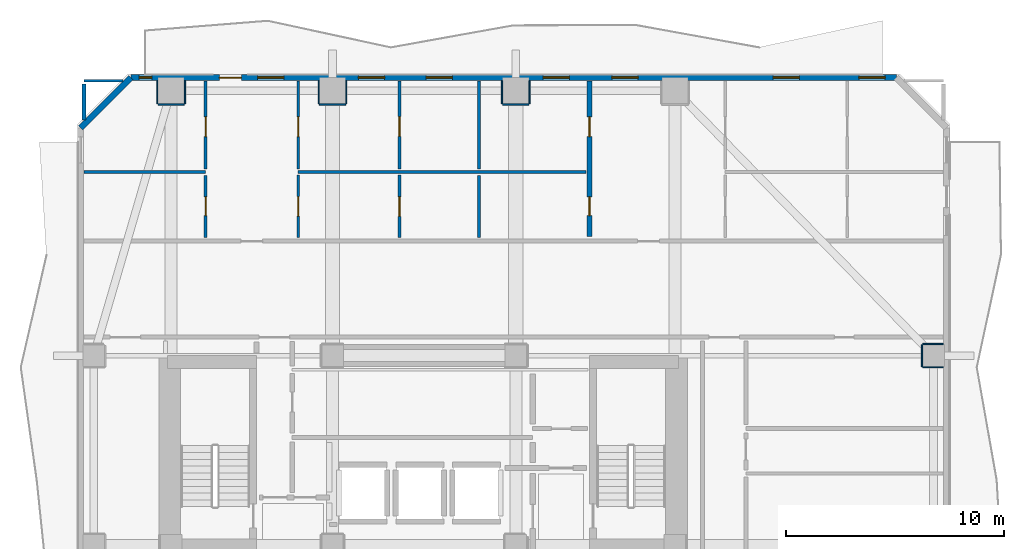
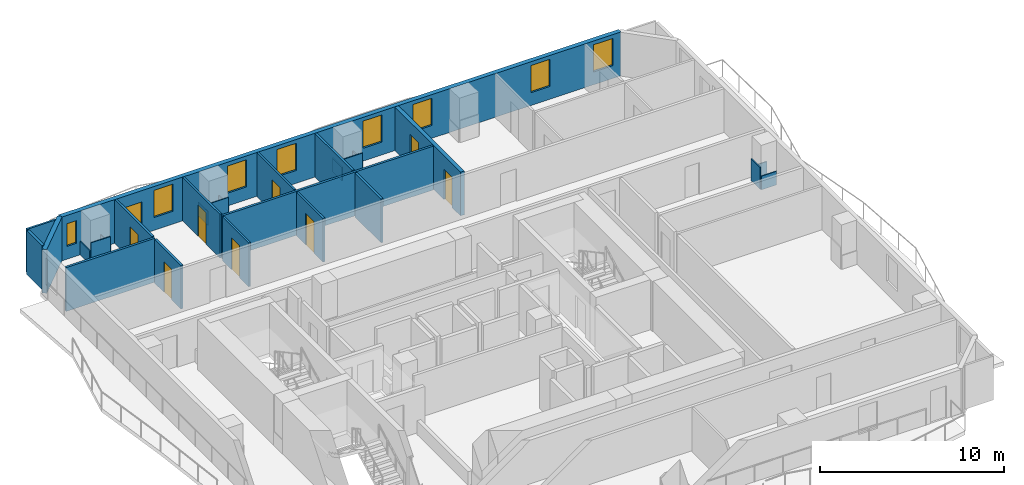
# One storey, part 5 of 9: 27 walls, 9 doors, 8 windows, 17 openings.
"""IFC4 building model written with IfcOpenShell, lengths in metres."""

from ifc_helpers import new_model, si_unit, direction, frame, frame_2d, origin, place, context, subcontext, project, spatial, rectangle, extrude, material, layer, layer_set, type_object, element, fill, save


model = new_model("IFC4")

# Units and contexts
model_context = context("Model", 3, precision=1e-05, world=origin(), true_north=direction((0.0, 1.0)))
body_context = subcontext(model_context, "Body", "Model", "MODEL_VIEW")
ifc_project = project(units=[si_unit("LENGTHUNIT", "METRE"), si_unit("AREAUNIT", "SQUARE_METRE"), si_unit("VOLUMEUNIT", "CUBIC_METRE"), si_unit("PLANEANGLEUNIT", "RADIAN"), si_unit("MASSUNIT", "GRAM", prefix="KILO")], contexts=[model_context])

# Site, building, storey
site_placement = place(None, origin())
site = spatial("IfcSite", under=ifc_project, at=site_placement, CompositionType="ELEMENT")
building_placement = place(site_placement, origin())
building = spatial("IfcBuilding", under=site, at=building_placement, Name="Solanera Arch Residences", CompositionType="ELEMENT")
storey_placement = place(building_placement, frame((0.0, 0.0, 162.52001953125)))
storey = spatial("IfcBuildingStorey", under=building, at=storey_placement, Name="L47", CompositionType="ELEMENT", Elevation=162.52001953125)

# Walls
ifc_material_1 = material(Name="Fire-Rated Gypsum Stud Partition", Category="gypsum")
ifc_layer_1 = layer(ifc_material_1, 0.06005859375)
ifc_layer_set_1 = layer_set([ifc_layer_1], Name="Fire-Rated Gypsum Stud Partition")
wall_type_1 = type_object("IfcWallType", Name="Column Acoustic Furring Wall 60", PredefinedType="PARTITIONING", material=ifc_layer_set_1)
wall_1_placement = place(storey_placement, frame((12.800048828125, 50.91796875, 0.0), z_axis=(0.0, 0.0, 1.0), x_axis=(1.0, 0.0, 0.0)))
element("IfcWall", 1, at=wall_1_placement, inside=storey, type_object=wall_type_1, Name="L47 Column Furring 10S", PredefinedType="PARTITIONING", context=body_context, shape_type="SweptSolid", body=[
    extrude(rectangle(XDim=1.199951171875, YDim=0.06005859375, at=frame_2d((0.60009765625, 0.0))), origin(), (0.0, 0.0, 1.0), 1.449951171875),
])
for number, where, z_axis, x_axis, name in (
    (2, (12.76806640625, 50.949951171875, 0.0), (0.0, 0.0, 1.0), (0.0, 1.0, 0.0), "L47 Column Furring 10W"),
    (3, (14.031982421875, 50.949951171875, 0.0), (0.0, 0.0, 1.0), (0.0, 1.0, 0.0), "L47 Column Furring 10E"),
):
    element("IfcWall", number, at=place(storey_placement, frame(where, z_axis=z_axis, x_axis=x_axis)), inside=storey, type_object=wall_type_1, Name=name, PredefinedType="PARTITIONING", context=body_context, shape_type="SweptSolid", body=[
        extrude(rectangle(XDim=1.0400390625, YDim=0.06005859375, at=frame_2d((0.52001953125, 0.0))), origin(), (0.0, 0.0, 1.0), 0.905029296875),
    ])
wall_2_placement = place(storey_placement, frame((20.199951171875, 50.91796875, 0.0), z_axis=(0.0, 0.0, 1.0), x_axis=(1.0, 0.0, 0.0)))
element("IfcWall", 4, at=wall_2_placement, inside=storey, type_object=wall_type_1, Name="L47 Column Furring 12S", PredefinedType="PARTITIONING", context=body_context, shape_type="SweptSolid", body=[
    extrude(rectangle(XDim=1.199951171875, YDim=0.06005859375, at=frame_2d((0.60009765625, 0.0))), origin(), (0.0, 0.0, 1.0), 1.449951171875),
])
for number, where, z_axis, x_axis, name in (
    (5, (20.16796875, 50.949951171875, 0.0), (0.0, 0.0, 1.0), (0.0, 1.0, 0.0), "L47 Column Furring 12W"),
    (6, (21.431884765625, 50.949951171875, 0.0), (0.0, 0.0, 1.0), (0.0, 1.0, 0.0), "L47 Column Furring 12E"),
):
    element("IfcWall", number, at=place(storey_placement, frame(where, z_axis=z_axis, x_axis=x_axis)), inside=storey, type_object=wall_type_1, Name=name, PredefinedType="PARTITIONING", context=body_context, shape_type="SweptSolid", body=[
        extrude(rectangle(XDim=1.0400390625, YDim=0.06005859375, at=frame_2d((0.52001953125, 0.0))), origin(), (0.0, 0.0, 1.0), 0.905029296875),
    ])
wall_3_placement = place(storey_placement, frame((28.60009765625, 50.91796875, 0.0), z_axis=(0.0, 0.0, 1.0), x_axis=(1.0, 0.0, 0.0)))
element("IfcWall", 7, at=wall_3_placement, inside=storey, type_object=wall_type_1, Name="L47 Column Furring 14S", PredefinedType="PARTITIONING", context=body_context, shape_type="SweptSolid", body=[
    extrude(rectangle(XDim=1.199951171875, YDim=0.06005859375, at=frame_2d((0.60009765625, 0.0))), origin(), (0.0, 0.0, 1.0), 1.449951171875),
])
for number, where, z_axis, x_axis, name in (
    (8, (28.568115234375, 50.949951171875, 0.0), (0.0, 0.0, 1.0), (0.0, 1.0, 0.0), "L47 Column Furring 14W"),
    (9, (29.83203125, 50.949951171875, 0.0), (0.0, 0.0, 1.0), (0.0, 1.0, 0.0), "L47 Column Furring 14E"),
):
    element("IfcWall", number, at=place(storey_placement, frame(where, z_axis=z_axis, x_axis=x_axis)), inside=storey, type_object=wall_type_1, Name=name, PredefinedType="PARTITIONING", context=body_context, shape_type="SweptSolid", body=[
        extrude(rectangle(XDim=1.0400390625, YDim=0.06005859375, at=frame_2d((0.52001953125, 0.0))), origin(), (0.0, 0.0, 1.0), 0.905029296875),
    ])
for number, where, z_axis, x_axis, name in (
    (10, (47.85009765625, 38.867919921875, 0.0), (0.0, 0.0, 1.0), (1.0, 0.0, 0.0), "L47 Column Furring 22S"),
    (11, (47.85009765625, 39.931884765625, 0.0), (0.0, 0.0, 1.0), (1.0, 0.0, 0.0), "L47 Column Furring 22N"),
):
    element("IfcWall", number, at=place(storey_placement, frame(where, z_axis=z_axis, x_axis=x_axis)), inside=storey, type_object=wall_type_1, Name=name, PredefinedType="PARTITIONING", context=body_context, shape_type="SweptSolid", body=[
        extrude(rectangle(XDim=0.93994140625, YDim=0.06005859375, at=frame_2d((0.469970703125, 0.0))), origin(), (0.0, 0.0, 1.0), 0.905029296875),
    ])
wall_4_placement = place(storey_placement, frame((47.818115234375, 38.89990234375, 0.0), z_axis=(0.0, 0.0, 1.0), x_axis=(0.0, 1.0, 0.0)))
element("IfcWall", 12, at=wall_4_placement, inside=storey, type_object=wall_type_1, Name="L47 Column Furring 22W", PredefinedType="PARTITIONING", context=body_context, shape_type="SweptSolid", body=[
    extrude(rectangle(XDim=1.0, YDim=0.06005859375, at=frame_2d((0.5, 0.0))), origin(), (0.0, 0.0, 1.0), 1.449951171875),
])
ifc_material_2 = material(Name="Autoclaved Aerated Concrete Blockwork", Category="masonry")
ifc_layer_2 = layer(ifc_material_2, 0.179931640625)
ifc_layer_set_2 = layer_set([ifc_layer_2], Name="Autoclaved Aerated Concrete Blockwork")
wall_type_2 = type_object("IfcWallType", Name="Corridor Fire Partition 180", PredefinedType="PARTITIONING", material=ifc_layer_set_2)
wall_5_placement = place(storey_placement, frame((9.39990234375, 50.205078125, 0.0), z_axis=(0.0, 0.0, 1.0), x_axis=(0.0, 1.0, 0.0)))
element("IfcWall", 13, at=wall_5_placement, inside=storey, type_object=wall_type_2, Name="L47 Interior Partition V8 2", PredefinedType="PARTITIONING", context=body_context, shape_type="SweptSolid", body=[
    extrude(rectangle(XDim=1.636962890625, YDim=0.179931640625, at=frame_2d((0.818359375, 0.0))), origin(), (0.0, 0.0, 1.0), 2.89990234375),
])
ifc_material_3 = material(Name="Precast Concrete C35/45", Category="concrete")
ifc_layer_3 = layer(ifc_material_3, 0.280029296875)
ifc_layer_set_3 = layer_set([ifc_layer_3], Name="Precast Concrete C35/45")
wall_type_3 = type_object("IfcWallType", Name="Exterior Wall Precast Masonry-Frame 280", PredefinedType="STANDARD", material=ifc_layer_set_3)
wall_6_placement = place(storey_placement, frame((9.2548828125, 49.844970703125, 0.0), z_axis=(0.0, 0.0, 1.0), x_axis=(0.707106781187, 0.707106781187, 0.0)))
element("IfcWall", 14, at=wall_6_placement, inside=storey, type_object=wall_type_3, Name="L47 Tower Exterior Precast Masonry-Frame Wall CH1", PredefinedType="STANDARD", context=body_context, shape_type="SweptSolid", body=[
    extrude(rectangle(XDim=3.252685546875, YDim=0.280029296875, at=frame_2d((1.62646484375, 0.0))), origin(), (0.0, 0.0, 1.0), 2.89990234375),
])

# Wall, openings, door, windows
wall_7_placement = place(storey_placement, frame((11.554931640625, 52.14501953125, 0.0), z_axis=(0.0, 0.0, 1.0), x_axis=(1.0, 0.0, 0.0)))
wall_7 = element("IfcWall", 15, at=wall_7_placement, inside=storey, type_object=wall_type_3, Name="L47 Tower Exterior Precast Masonry-Frame Wall N", PredefinedType="STANDARD", context=body_context, shape_type="SweptSolid", body=[
    extrude(rectangle(XDim=35.090087890625, YDim=0.280029296875, at=frame_2d((17.544921875, 0.0))), origin(), (0.0, 0.0, 1.0), 2.89990234375),
])
opening_1_placement = place(wall_7_placement, frame((4.06201171875, 0.0, 0.0)))
opening_1 = element("IfcOpeningElement", 16, at=opening_1_placement, cuts=wall_7, Name="Opening DB-01", PredefinedType="OPENING", context=body_context, shape_type="SweptSolid", body=[
    extrude(rectangle(XDim=1.0, YDim=2.14990234375, at=frame_2d((0.5, 1.074951171875))), frame((0.0, 0.14990234375, 0.0), z_axis=(0.0, -1.0, 0.0), x_axis=(1.0, 0.0, 0.0)), (0.0, 0.0, 1.0), 0.3),
])
opening_2_placement = place(wall_7_placement, frame((5.81298828125, 0.0, 0.85009765625)))
opening_2 = element("IfcOpeningElement", 17, at=opening_2_placement, cuts=wall_7, Name="Opening W-01", PredefinedType="OPENING", context=body_context, shape_type="SweptSolid", body=[
    extrude(rectangle(XDim=1.199951171875, YDim=1.800048828125, at=frame_2d((0.60009765625, 0.89990234375))), frame((0.0, 0.14990234375, 0.0), z_axis=(0.0, -1.0, 0.0), x_axis=(1.0, 0.0, 0.0)), (0.0, 0.0, 1.0), 0.3),
])
opening_3_placement = place(wall_7_placement, frame((0.3779296875, 0.0, 0.85009765625)))
opening_3 = element("IfcOpeningElement", 18, at=opening_3_placement, cuts=wall_7, Name="Opening W-14", PredefinedType="OPENING", context=body_context, shape_type="SweptSolid", body=[
    extrude(rectangle(XDim=0.580078125, YDim=1.5, at=frame_2d((0.2900390625, 0.75))), frame((0.0, 0.14990234375, 0.0), z_axis=(0.0, -1.0, 0.0), x_axis=(1.0, 0.0, 0.0)), (0.0, 0.0, 1.0), 0.3),
])
opening_4_placement = place(wall_7_placement, frame((10.428955078125, 0.0, 0.85009765625)))
opening_4 = element("IfcOpeningElement", 19, at=opening_4_placement, cuts=wall_7, Name="Opening W-01", PredefinedType="OPENING", context=body_context, shape_type="SweptSolid", body=[
    extrude(rectangle(XDim=1.199951171875, YDim=1.800048828125, at=frame_2d((0.60009765625, 0.89990234375))), frame((0.0, 0.14990234375, 0.0), z_axis=(0.0, -1.0, 0.0), x_axis=(1.0, 0.0, 0.0)), (0.0, 0.0, 1.0), 0.3),
])
opening_5_placement = place(wall_7_placement, frame((13.5390625, 0.0, 0.85009765625)))
opening_5 = element("IfcOpeningElement", 20, at=opening_5_placement, cuts=wall_7, Name="Opening W-01", PredefinedType="OPENING", context=body_context, shape_type="SweptSolid", body=[
    extrude(rectangle(XDim=1.199951171875, YDim=1.800048828125, at=frame_2d((0.60009765625, 0.89990234375))), frame((0.0, 0.14990234375, 0.0), z_axis=(0.0, -1.0, 0.0), x_axis=(1.0, 0.0, 0.0)), (0.0, 0.0, 1.0), 0.3),
])
opening_6_placement = place(wall_7_placement, frame((22.052001953125, 0.0, 0.85009765625)))
opening_6 = element("IfcOpeningElement", 21, at=opening_6_placement, cuts=wall_7, Name="Opening W-01", PredefinedType="OPENING", context=body_context, shape_type="SweptSolid", body=[
    extrude(rectangle(XDim=1.199951171875, YDim=1.800048828125, at=frame_2d((0.60009765625, 0.89990234375))), frame((0.0, 0.14990234375, 0.0), z_axis=(0.0, -1.0, 0.0), x_axis=(1.0, 0.0, 0.0)), (0.0, 0.0, 1.0), 0.3),
])
opening_7_placement = place(wall_7_placement, frame((18.902099609375, 0.0, 0.85009765625)))
opening_7 = element("IfcOpeningElement", 22, at=opening_7_placement, cuts=wall_7, Name="Opening W-01", PredefinedType="OPENING", context=body_context, shape_type="SweptSolid", body=[
    extrude(rectangle(XDim=1.199951171875, YDim=1.800048828125, at=frame_2d((0.60009765625, 0.89990234375))), frame((0.0, 0.14990234375, 0.0), z_axis=(0.0, -1.0, 0.0), x_axis=(1.0, 0.0, 0.0)), (0.0, 0.0, 1.0), 0.3),
])
opening_8_placement = place(wall_7_placement, frame((29.444091796875, 0.0, 0.85009765625)))
opening_8 = element("IfcOpeningElement", 23, at=opening_8_placement, cuts=wall_7, Name="Opening W-01", PredefinedType="OPENING", context=body_context, shape_type="SweptSolid", body=[
    extrude(rectangle(XDim=1.199951171875, YDim=1.800048828125, at=frame_2d((0.60009765625, 0.89990234375))), frame((0.0, 0.14990234375, 0.0), z_axis=(0.0, -1.0, 0.0), x_axis=(1.0, 0.0, 0.0)), (0.0, 0.0, 1.0), 0.3),
])
opening_9_placement = place(wall_7_placement, frame((33.3720703125, 0.0, 0.85009765625)))
opening_9 = element("IfcOpeningElement", 24, at=opening_9_placement, cuts=wall_7, Name="Opening W-01", PredefinedType="OPENING", context=body_context, shape_type="SweptSolid", body=[
    extrude(rectangle(XDim=1.199951171875, YDim=1.800048828125, at=frame_2d((0.60009765625, 0.89990234375))), frame((0.0, 0.14990234375, 0.0), z_axis=(0.0, -1.0, 0.0), x_axis=(1.0, 0.0, 0.0)), (0.0, 0.0, 1.0), 0.3),
])
ifc_material_4 = material(Name="Anodised Aluminium Alloy 6063-T6", Category="aluminium")
door_type_1 = type_object("IfcDoorType", Name="Glazed Balcony Swing Door DB-01", OperationType="NOTDEFINED", PredefinedType="DOOR", material=ifc_material_4)
door_1_placement = place(opening_1_placement, origin())
door_1 = element("IfcDoor", 25, at=door_1_placement, inside=storey, type_object=door_type_1, Name="DR-L47-OUT-02", OperationType="SINGLE_SWING_RIGHT", OverallHeight=2.14990234375, OverallWidth=1.0, PredefinedType="DOOR", context=body_context, shape_type="SweptSolid", body=[
    extrude(rectangle(XDim=1.0, YDim=2.14990234375, at=frame_2d((0.5, 1.074951171875))), frame((0.0, 0.02490234375, 0.0), z_axis=(0.0, -1.0, 0.0), x_axis=(1.0, 0.0, 0.0)), (0.0, 0.0, 1.0), 0.050048828125),
])
fill(opening_1, door_1)
ifc_material_5 = material(Name="Double Glazed Low-E Laminated Glass", Category="glass")
window_type_1 = type_object("IfcWindowType", Name="Punched Window W-01", PartitioningType="SINGLE_PANEL", PredefinedType="WINDOW", material=ifc_material_5)
window_1_placement = place(opening_2_placement, origin())
window_1 = element("IfcWindow", 26, at=window_1_placement, inside=storey, type_object=window_type_1, Name="L47 4701-LIV Punched Window", OverallHeight=1.800048828125, OverallWidth=1.199951171875, PartitioningType="SINGLE_PANEL", PredefinedType="WINDOW", context=body_context, shape_type="SweptSolid", body=[
    extrude(rectangle(XDim=1.199951171875, YDim=1.800048828125, at=frame_2d((0.60009765625, 0.89990234375))), frame((0.0, 0.030029296875, 0.0), z_axis=(0.0, -1.0, 0.0), x_axis=(1.0, 0.0, 0.0)), (0.0, 0.0, 1.0), 0.06005859375),
])
fill(opening_2, window_1)
window_2_placement = place(opening_4_placement, origin())
window_2 = element("IfcWindow", 27, at=window_2_placement, inside=storey, type_object=window_type_1, Name="L47 4701-BR2 Punched Window", OverallHeight=1.800048828125, OverallWidth=1.199951171875, PartitioningType="SINGLE_PANEL", PredefinedType="WINDOW", context=body_context, shape_type="SweptSolid", body=[
    extrude(rectangle(XDim=1.199951171875, YDim=1.800048828125, at=frame_2d((0.60009765625, 0.89990234375))), frame((0.0, 0.030029296875, 0.0), z_axis=(0.0, -1.0, 0.0), x_axis=(1.0, 0.0, 0.0)), (0.0, 0.0, 1.0), 0.06005859375),
])
fill(opening_4, window_2)
window_3_placement = place(opening_5_placement, origin())
window_3 = element("IfcWindow", 28, at=window_3_placement, inside=storey, type_object=window_type_1, Name="L47 4701-BR3 Punched Window", OverallHeight=1.800048828125, OverallWidth=1.199951171875, PartitioningType="SINGLE_PANEL", PredefinedType="WINDOW", context=body_context, shape_type="SweptSolid", body=[
    extrude(rectangle(XDim=1.199951171875, YDim=1.800048828125, at=frame_2d((0.60009765625, 0.89990234375))), frame((0.0, 0.030029296875, 0.0), z_axis=(0.0, -1.0, 0.0), x_axis=(1.0, 0.0, 0.0)), (0.0, 0.0, 1.0), 0.06005859375),
])
fill(opening_5, window_3)
window_4_placement = place(opening_6_placement, origin())
window_4 = element("IfcWindow", 29, at=window_4_placement, inside=storey, type_object=window_type_1, Name="L47 4702-LIV Punched Window", OverallHeight=1.800048828125, OverallWidth=1.199951171875, PartitioningType="SINGLE_PANEL", PredefinedType="WINDOW", context=body_context, shape_type="SweptSolid", body=[
    extrude(rectangle(XDim=1.199951171875, YDim=1.800048828125, at=frame_2d((0.60009765625, 0.89990234375))), frame((0.0, 0.030029296875, 0.0), z_axis=(0.0, -1.0, 0.0), x_axis=(1.0, 0.0, 0.0)), (0.0, 0.0, 1.0), 0.06005859375),
])
fill(opening_6, window_4)
window_5_placement = place(opening_7_placement, origin())
window_5 = element("IfcWindow", 30, at=window_5_placement, inside=storey, type_object=window_type_1, Name="L47 4702-BR1 Punched Window", OverallHeight=1.800048828125, OverallWidth=1.199951171875, PartitioningType="SINGLE_PANEL", PredefinedType="WINDOW", context=body_context, shape_type="SweptSolid", body=[
    extrude(rectangle(XDim=1.199951171875, YDim=1.800048828125, at=frame_2d((0.60009765625, 0.89990234375))), frame((0.0, 0.030029296875, 0.0), z_axis=(0.0, -1.0, 0.0), x_axis=(1.0, 0.0, 0.0)), (0.0, 0.0, 1.0), 0.06005859375),
])
fill(opening_7, window_5)
window_6_placement = place(opening_8_placement, origin())
window_6 = element("IfcWindow", 31, at=window_6_placement, inside=storey, type_object=window_type_1, Name="L47 4702-BR2 Punched Window", OverallHeight=1.800048828125, OverallWidth=1.199951171875, PartitioningType="SINGLE_PANEL", PredefinedType="WINDOW", context=body_context, shape_type="SweptSolid", body=[
    extrude(rectangle(XDim=1.199951171875, YDim=1.800048828125, at=frame_2d((0.60009765625, 0.89990234375))), frame((0.0, 0.030029296875, 0.0), z_axis=(0.0, -1.0, 0.0), x_axis=(1.0, 0.0, 0.0)), (0.0, 0.0, 1.0), 0.06005859375),
])
fill(opening_8, window_6)
window_7_placement = place(opening_9_placement, origin())
window_7 = element("IfcWindow", 32, at=window_7_placement, inside=storey, type_object=window_type_1, Name="L47 4702-BR3 Punched Window", OverallHeight=1.800048828125, OverallWidth=1.199951171875, PartitioningType="SINGLE_PANEL", PredefinedType="WINDOW", context=body_context, shape_type="SweptSolid", body=[
    extrude(rectangle(XDim=1.199951171875, YDim=1.800048828125, at=frame_2d((0.60009765625, 0.89990234375))), frame((0.0, 0.030029296875, 0.0), z_axis=(0.0, -1.0, 0.0), x_axis=(1.0, 0.0, 0.0)), (0.0, 0.0, 1.0), 0.06005859375),
])
fill(opening_9, window_7)
ifc_material_6 = material(Name="Double Glazed Low-E Laminated Glass", Category="glass")
window_type_2 = type_object("IfcWindowType", Name="Punched Window W-14", PartitioningType="SINGLE_PANEL", PredefinedType="WINDOW", material=ifc_material_6)
window_8_placement = place(opening_3_placement, origin())
window_8 = element("IfcWindow", 33, at=window_8_placement, inside=storey, type_object=window_type_2, Name="L47 4701-BR1 Punched Window", OverallHeight=1.5, OverallWidth=0.580078125, PartitioningType="SINGLE_PANEL", PredefinedType="WINDOW", context=body_context, shape_type="SweptSolid", body=[
    extrude(rectangle(XDim=0.580078125, YDim=1.5, at=frame_2d((0.2900390625, 0.75))), frame((0.0, 0.030029296875, 0.0), z_axis=(0.0, -1.0, 0.0), x_axis=(1.0, 0.0, 0.0)), (0.0, 0.0, 1.0), 0.06005859375),
])
fill(opening_3, window_8)

# Wall, openings, doors
ifc_material_7 = material(Name="Autoclaved Aerated Concrete Blockwork", Category="masonry")
ifc_layer_4 = layer(ifc_material_7, 0.239990234375)
ifc_layer_set_4 = layer_set([ifc_layer_4], Name="Autoclaved Aerated Concrete Blockwork")
wall_type_4 = type_object("IfcWallType", Name="Shaft Wall Fire-Rated 240", PredefinedType="PARTITIONING", material=ifc_layer_set_4)
wall_8_placement = place(storey_placement, frame((32.580078125, 44.867919921875, 0.0), z_axis=(0.0, 0.0, 1.0), x_axis=(0.0, 1.0, 0.0)))
wall_8 = element("IfcWall", 34, at=wall_8_placement, inside=storey, type_object=wall_type_4, Name="L47 Interior Partition V6", PredefinedType="PARTITIONING", context=body_context, shape_type="SweptSolid", body=[
    extrude(rectangle(XDim=7.125, YDim=0.239990234375, at=frame_2d((3.5625, 0.0))), origin(), (0.0, 0.0, 1.0), 2.89990234375),
])
opening_10_placement = place(wall_8_placement, frame((0.945068359375, 0.0, 0.0)))
opening_10 = element("IfcOpeningElement", 35, at=opening_10_placement, cuts=wall_8, Name="Opening DI-05", PredefinedType="OPENING", context=body_context, shape_type="SweptSolid", body=[
    extrude(rectangle(XDim=0.860107421875, YDim=2.02001953125, at=frame_2d((0.43017578125, 1.010009765625))), frame((0.0, 0.1298828125, 0.0), z_axis=(0.0, -1.0, 0.0), x_axis=(1.0, 0.0, 0.0)), (0.0, 0.0, 1.0), 0.26),
])
opening_11_placement = place(wall_8_placement, frame((4.573974609375, 0.0, 0.0)))
opening_11 = element("IfcOpeningElement", 36, at=opening_11_placement, cuts=wall_8, Name="Opening DI-03", PredefinedType="OPENING", context=body_context, shape_type="SweptSolid", body=[
    extrude(rectangle(XDim=0.89990234375, YDim=2.10009765625, at=frame_2d((0.449951171875, 1.050048828125))), frame((0.0, 0.1298828125, 0.0), z_axis=(0.0, -1.0, 0.0), x_axis=(1.0, 0.0, 0.0)), (0.0, 0.0, 1.0), 0.26),
])
ifc_material_8 = material(Name="Fire-Rated Architectural Hardwood", Category="wood")
door_type_2 = type_object("IfcDoorType", Name="Bathroom Swing Door DI-05", OperationType="NOTDEFINED", PredefinedType="DOOR", material=ifc_material_8)
door_2_placement = place(opening_10_placement, origin())
door_2 = element("IfcDoor", 37, at=door_2_placement, inside=storey, type_object=door_type_2, Name="DR-L47-IN-027", OperationType="SINGLE_SWING_LEFT", OverallHeight=2.02001953125, OverallWidth=0.860107421875, PredefinedType="DOOR", context=body_context, shape_type="SweptSolid", body=[
    extrude(rectangle(XDim=0.860107421875, YDim=2.02001953125, at=frame_2d((0.43017578125, 1.010009765625))), frame((0.0, 0.02490234375, 0.0), z_axis=(0.0, -1.0, 0.0), x_axis=(1.0, 0.0, 0.0)), (0.0, 0.0, 1.0), 0.050048828125),
])
fill(opening_10, door_2)
ifc_material_9 = material(Name="Fire-Rated Architectural Hardwood", Category="wood")
door_type_3 = type_object("IfcDoorType", Name="Bedroom Swing Door DI-03", OperationType="NOTDEFINED", PredefinedType="DOOR", material=ifc_material_9)
door_3_placement = place(opening_11_placement, origin())
door_3 = element("IfcDoor", 38, at=door_3_placement, inside=storey, type_object=door_type_3, Name="DR-L47-IN-028", OperationType="SINGLE_SWING_RIGHT", OverallHeight=2.10009765625, OverallWidth=0.89990234375, PredefinedType="DOOR", context=body_context, shape_type="SweptSolid", body=[
    extrude(rectangle(XDim=0.89990234375, YDim=2.10009765625, at=frame_2d((0.449951171875, 1.050048828125))), frame((0.0, 0.02490234375, 0.0), z_axis=(0.0, -1.0, 0.0), x_axis=(1.0, 0.0, 0.0)), (0.0, 0.0, 1.0), 0.050048828125),
])
fill(opening_11, door_3)

# Wall
ifc_material_10 = material(Name="Fire-Rated Gypsum Stud Partition", Category="gypsum")
ifc_layer_5 = layer(ifc_material_10, 0.1201171875)
ifc_layer_set_5 = layer_set([ifc_layer_5], Name="Fire-Rated Gypsum Stud Partition")
wall_type_5 = type_object("IfcWallType", Name="Unit Drywall Partition 120", PredefinedType="PARTITIONING", material=ifc_layer_set_5)
wall_9_placement = place(storey_placement, frame((9.39990234375, 52.0, 0.0), z_axis=(0.0, 0.0, 1.0), x_axis=(1.0, 0.0, 0.0)))
element("IfcWall", 39, at=wall_9_placement, inside=storey, type_object=wall_type_5, Name="L47 Interior Partition H20 1", PredefinedType="PARTITIONING", context=body_context, shape_type="SweptSolid", body=[
    extrude(rectangle(XDim=1.795166015625, YDim=0.1201171875, at=frame_2d((0.8974609375, 0.0))), origin(), (0.0, 0.0, 1.0), 2.89990234375),
])

# Wall, opening, door
wall_10_placement = place(storey_placement, frame((19.219970703125, 44.80810546875, 0.0), z_axis=(0.0, 0.0, 1.0), x_axis=(0.0, 1.0, 0.0)))
wall_10 = element("IfcWall", 40, at=wall_10_placement, inside=storey, type_object=wall_type_5, Name="L47 Interior Partition V16 1", PredefinedType="PARTITIONING", context=body_context, shape_type="SweptSolid", body=[
    extrude(rectangle(XDim=2.864013671875, YDim=0.1201171875, at=frame_2d((1.43212890625, 0.0))), origin(), (0.0, 0.0, 1.0), 2.89990234375),
])
opening_12_placement = place(wall_10_placement, frame((0.985107421875, 0.0, 0.0)))
opening_12 = element("IfcOpeningElement", 41, at=opening_12_placement, cuts=wall_10, Name="Opening DI-02", PredefinedType="OPENING", context=body_context, shape_type="SweptSolid", body=[
    extrude(rectangle(XDim=0.89990234375, YDim=2.10009765625, at=frame_2d((0.449951171875, 1.050048828125))), frame((0.0, 0.070068359375, 0.0), z_axis=(0.0, -1.0, 0.0), x_axis=(1.0, 0.0, 0.0)), (0.0, 0.0, 1.0), 0.1401),
])
ifc_material_11 = material(Name="Fire-Rated Architectural Hardwood", Category="wood")
door_type_4 = type_object("IfcDoorType", Name="Suite Room Swing Door DI-02", OperationType="NOTDEFINED", PredefinedType="DOOR", material=ifc_material_11)
door_4_placement = place(opening_12_placement, origin())
door_4 = element("IfcDoor", 42, at=door_4_placement, inside=storey, type_object=door_type_4, Name="DR-L47-IN-022", OperationType="SINGLE_SWING_RIGHT", OverallHeight=2.10009765625, OverallWidth=0.89990234375, PredefinedType="DOOR", context=body_context, shape_type="SweptSolid", body=[
    extrude(rectangle(XDim=0.89990234375, YDim=2.10009765625, at=frame_2d((0.449951171875, 1.050048828125))), frame((0.0, 0.02490234375, 0.0), z_axis=(0.0, -1.0, 0.0), x_axis=(1.0, 0.0, 0.0)), (0.0, 0.0, 1.0), 0.050048828125),
])
fill(opening_12, door_4)

wall_11_placement = place(storey_placement, frame((19.219970703125, 47.947998046875, 0.0), z_axis=(0.0, 0.0, 1.0), x_axis=(0.0, 1.0, 0.0)))
wall_11 = element("IfcWall", 43, at=wall_11_placement, inside=storey, type_object=wall_type_5, Name="L47 Interior Partition V16 2", PredefinedType="PARTITIONING", context=body_context, shape_type="SweptSolid", body=[
    extrude(rectangle(XDim=4.044921875, YDim=0.1201171875, at=frame_2d((2.0224609375, 0.0))), origin(), (0.0, 0.0, 1.0), 2.89990234375),
])
opening_13_placement = place(wall_11_placement, frame((1.493896484375, 0.0, 0.0)))
opening_13 = element("IfcOpeningElement", 44, at=opening_13_placement, cuts=wall_11, Name="Opening DI-03", PredefinedType="OPENING", context=body_context, shape_type="SweptSolid", body=[
    extrude(rectangle(XDim=0.89990234375, YDim=2.10009765625, at=frame_2d((0.449951171875, 1.050048828125))), frame((0.0, 0.070068359375, 0.0), z_axis=(0.0, -1.0, 0.0), x_axis=(1.0, 0.0, 0.0)), (0.0, 0.0, 1.0), 0.1401),
])
door_5_placement = place(opening_13_placement, origin())
door_5 = element("IfcDoor", 45, at=door_5_placement, inside=storey, type_object=door_type_3, Name="DR-L47-IN-024", OperationType="SINGLE_SWING_RIGHT", OverallHeight=2.10009765625, OverallWidth=0.89990234375, PredefinedType="DOOR", context=body_context, shape_type="SweptSolid", body=[
    extrude(rectangle(XDim=0.89990234375, YDim=2.10009765625, at=frame_2d((0.449951171875, 1.050048828125))), frame((0.0, 0.02490234375, 0.0), z_axis=(0.0, -1.0, 0.0), x_axis=(1.0, 0.0, 0.0)), (0.0, 0.0, 1.0), 0.050048828125),
])
fill(opening_13, door_5)

wall_12_placement = place(storey_placement, frame((23.867919921875, 44.80810546875, 0.0), z_axis=(0.0, 0.0, 1.0), x_axis=(0.0, 1.0, 0.0)))
wall_12 = element("IfcWall", 46, at=wall_12_placement, inside=storey, type_object=wall_type_5, Name="L47 Interior Partition V17 1", PredefinedType="PARTITIONING", context=body_context, shape_type="SweptSolid", body=[
    extrude(rectangle(XDim=2.864013671875, YDim=0.1201171875, at=frame_2d((1.43212890625, 0.0))), origin(), (0.0, 0.0, 1.0), 2.89990234375),
])
opening_14_placement = place(wall_12_placement, frame((0.971923828125, 0.0, 0.0)))
opening_14 = element("IfcOpeningElement", 47, at=opening_14_placement, cuts=wall_12, Name="Opening DI-02", PredefinedType="OPENING", context=body_context, shape_type="SweptSolid", body=[
    extrude(rectangle(XDim=0.89990234375, YDim=2.10009765625, at=frame_2d((0.449951171875, 1.050048828125))), frame((0.0, 0.070068359375, 0.0), z_axis=(0.0, -1.0, 0.0), x_axis=(1.0, 0.0, 0.0)), (0.0, 0.0, 1.0), 0.1401),
])
door_6_placement = place(opening_14_placement, origin())
door_6 = element("IfcDoor", 48, at=door_6_placement, inside=storey, type_object=door_type_4, Name="DR-L47-IN-023", OperationType="SINGLE_SWING_LEFT", OverallHeight=2.10009765625, OverallWidth=0.89990234375, PredefinedType="DOOR", context=body_context, shape_type="SweptSolid", body=[
    extrude(rectangle(XDim=0.89990234375, YDim=2.10009765625, at=frame_2d((0.449951171875, 1.050048828125))), frame((0.0, 0.02490234375, 0.0), z_axis=(0.0, -1.0, 0.0), x_axis=(1.0, 0.0, 0.0)), (0.0, 0.0, 1.0), 0.050048828125),
])
fill(opening_14, door_6)

wall_13_placement = place(storey_placement, frame((23.867919921875, 47.947998046875, 0.0), z_axis=(0.0, 0.0, 1.0), x_axis=(0.0, 1.0, 0.0)))
wall_13 = element("IfcWall", 49, at=wall_13_placement, inside=storey, type_object=wall_type_5, Name="L47 Interior Partition V17 2", PredefinedType="PARTITIONING", context=body_context, shape_type="SweptSolid", body=[
    extrude(rectangle(XDim=4.044921875, YDim=0.1201171875, at=frame_2d((2.0224609375, 0.0))), origin(), (0.0, 0.0, 1.0), 2.89990234375),
])
opening_15_placement = place(wall_13_placement, frame((1.507080078125, 0.0, 0.0)))
opening_15 = element("IfcOpeningElement", 50, at=opening_15_placement, cuts=wall_13, Name="Opening DI-03", PredefinedType="OPENING", context=body_context, shape_type="SweptSolid", body=[
    extrude(rectangle(XDim=0.89990234375, YDim=2.10009765625, at=frame_2d((0.449951171875, 1.050048828125))), frame((0.0, 0.070068359375, 0.0), z_axis=(0.0, -1.0, 0.0), x_axis=(1.0, 0.0, 0.0)), (0.0, 0.0, 1.0), 0.1401),
])
door_7_placement = place(opening_15_placement, origin())
door_7 = element("IfcDoor", 51, at=door_7_placement, inside=storey, type_object=door_type_3, Name="DR-L47-IN-025", OperationType="SINGLE_SWING_LEFT", OverallHeight=2.10009765625, OverallWidth=0.89990234375, PredefinedType="DOOR", context=body_context, shape_type="SweptSolid", body=[
    extrude(rectangle(XDim=0.89990234375, YDim=2.10009765625, at=frame_2d((0.449951171875, 1.050048828125))), frame((0.0, 0.02490234375, 0.0), z_axis=(0.0, -1.0, 0.0), x_axis=(1.0, 0.0, 0.0)), (0.0, 0.0, 1.0), 0.050048828125),
])
fill(opening_15, door_7)

# Walls
ifc_material_12 = material(Name="Autoclaved Aerated Concrete Blockwork", Category="masonry")
ifc_layer_6 = layer(ifc_material_12, 0.139892578125)
ifc_layer_set_6 = layer_set([ifc_layer_6], Name="Autoclaved Aerated Concrete Blockwork")
wall_type_6 = type_object("IfcWallType", Name="Wet-Room Partition 140", PredefinedType="PARTITIONING", material=ifc_layer_set_6)
wall_14_placement = place(storey_placement, frame((9.406982421875, 47.81005859375, 0.0), z_axis=(0.0, 0.0, 1.0), x_axis=(1.0, 0.0, 0.0)))
element("IfcWall", 52, at=wall_14_placement, inside=storey, type_object=wall_type_6, Name="L47 Interior Partition H15", PredefinedType="PARTITIONING", context=body_context, shape_type="SweptSolid", body=[
    extrude(rectangle(XDim=5.572998046875, YDim=0.139892578125, at=frame_2d((2.78662109375, 0.0))), origin(), (0.0, 0.0, 1.0), 2.89990234375),
])
wall_15_placement = place(storey_placement, frame((19.219970703125, 47.81005859375, 0.0), z_axis=(0.0, 0.0, 1.0), x_axis=(1.0, 0.0, 0.0)))
element("IfcWall", 53, at=wall_15_placement, inside=storey, type_object=wall_type_6, Name="L47 Interior Partition H16", PredefinedType="PARTITIONING", context=body_context, shape_type="SweptSolid", body=[
    extrude(rectangle(XDim=13.194091796875, YDim=0.139892578125, at=frame_2d((6.59716796875, 0.0))), origin(), (0.0, 0.0, 1.0), 2.89990234375),
])

# Wall, opening, door
wall_16_placement = place(storey_placement, frame((14.97998046875, 44.818115234375, 0.0), z_axis=(0.0, 0.0, 1.0), x_axis=(0.0, 1.0, 0.0)))
wall_16 = element("IfcWall", 54, at=wall_16_placement, inside=storey, type_object=wall_type_6, Name="L47 Interior Partition V14 1", PredefinedType="PARTITIONING", context=body_context, shape_type="SweptSolid", body=[
    extrude(rectangle(XDim=2.843994140625, YDim=0.139892578125, at=frame_2d((1.421875, 0.0))), origin(), (0.0, 0.0, 1.0), 2.89990234375),
])
opening_16_placement = place(wall_16_placement, frame((0.9951171875, 0.0, 0.0)))
opening_16 = element("IfcOpeningElement", 55, at=opening_16_placement, cuts=wall_16, Name="Opening DI-05", PredefinedType="OPENING", context=body_context, shape_type="SweptSolid", body=[
    extrude(rectangle(XDim=0.860107421875, YDim=2.02001953125, at=frame_2d((0.43017578125, 1.010009765625))), frame((0.0, 0.079833984375, 0.0), z_axis=(0.0, -1.0, 0.0), x_axis=(1.0, 0.0, 0.0)), (0.0, 0.0, 1.0), 0.1599),
])
door_8_placement = place(opening_16_placement, origin())
door_8 = element("IfcDoor", 56, at=door_8_placement, inside=storey, type_object=door_type_2, Name="DR-L47-IN-020", OperationType="SINGLE_SWING_RIGHT", OverallHeight=2.02001953125, OverallWidth=0.860107421875, PredefinedType="DOOR", context=body_context, shape_type="SweptSolid", body=[
    extrude(rectangle(XDim=0.860107421875, YDim=2.02001953125, at=frame_2d((0.43017578125, 1.010009765625))), frame((0.0, 0.02490234375, 0.0), z_axis=(0.0, -1.0, 0.0), x_axis=(1.0, 0.0, 0.0)), (0.0, 0.0, 1.0), 0.050048828125),
])
fill(opening_16, door_8)

wall_17_placement = place(storey_placement, frame((14.97998046875, 47.9580078125, 0.0), z_axis=(0.0, 0.0, 1.0), x_axis=(0.0, 1.0, 0.0)))
wall_17 = element("IfcWall", 57, at=wall_17_placement, inside=storey, type_object=wall_type_6, Name="L47 Interior Partition V14 2", PredefinedType="PARTITIONING", context=body_context, shape_type="SweptSolid", body=[
    extrude(rectangle(XDim=4.034912109375, YDim=0.139892578125, at=frame_2d((2.017578125, 0.0))), origin(), (0.0, 0.0, 1.0), 2.89990234375),
])
opening_17_placement = place(wall_17_placement, frame((1.48388671875, 0.0, 0.0)))
opening_17 = element("IfcOpeningElement", 58, at=opening_17_placement, cuts=wall_17, Name="Opening DI-03", PredefinedType="OPENING", context=body_context, shape_type="SweptSolid", body=[
    extrude(rectangle(XDim=0.89990234375, YDim=2.10009765625, at=frame_2d((0.449951171875, 1.050048828125))), frame((0.0, 0.079833984375, 0.0), z_axis=(0.0, -1.0, 0.0), x_axis=(1.0, 0.0, 0.0)), (0.0, 0.0, 1.0), 0.1599),
])
door_9_placement = place(opening_17_placement, origin())
door_9 = element("IfcDoor", 59, at=door_9_placement, inside=storey, type_object=door_type_3, Name="DR-L47-IN-021", OperationType="SINGLE_SWING_LEFT", OverallHeight=2.10009765625, OverallWidth=0.89990234375, PredefinedType="DOOR", context=body_context, shape_type="SweptSolid", body=[
    extrude(rectangle(XDim=0.89990234375, YDim=2.10009765625, at=frame_2d((0.449951171875, 1.050048828125))), frame((0.0, 0.02490234375, 0.0), z_axis=(0.0, -1.0, 0.0), x_axis=(1.0, 0.0, 0.0)), (0.0, 0.0, 1.0), 0.050048828125),
])
fill(opening_17, door_9)

# Walls
wall_18_placement = place(storey_placement, frame((27.52001953125, 44.818115234375, 0.0), z_axis=(0.0, 0.0, 1.0), x_axis=(0.0, 1.0, 0.0)))
element("IfcWall", 60, at=wall_18_placement, inside=storey, type_object=wall_type_6, Name="L47 Interior Partition V15 1", PredefinedType="PARTITIONING", context=body_context, shape_type="SweptSolid", body=[
    extrude(rectangle(XDim=2.843994140625, YDim=0.139892578125, at=frame_2d((1.421875, 0.0))), origin(), (0.0, 0.0, 1.0), 2.89990234375),
])
wall_19_placement = place(storey_placement, frame((27.52001953125, 47.9580078125, 0.0), z_axis=(0.0, 0.0, 1.0), x_axis=(0.0, 1.0, 0.0)))
element("IfcWall", 61, at=wall_19_placement, inside=storey, type_object=wall_type_6, Name="L47 Interior Partition V15 2", PredefinedType="PARTITIONING", context=body_context, shape_type="SweptSolid", body=[
    extrude(rectangle(XDim=4.034912109375, YDim=0.139892578125, at=frame_2d((2.017578125, 0.0))), origin(), (0.0, 0.0, 1.0), 2.89990234375),
])

save(model, "model.ifc")
